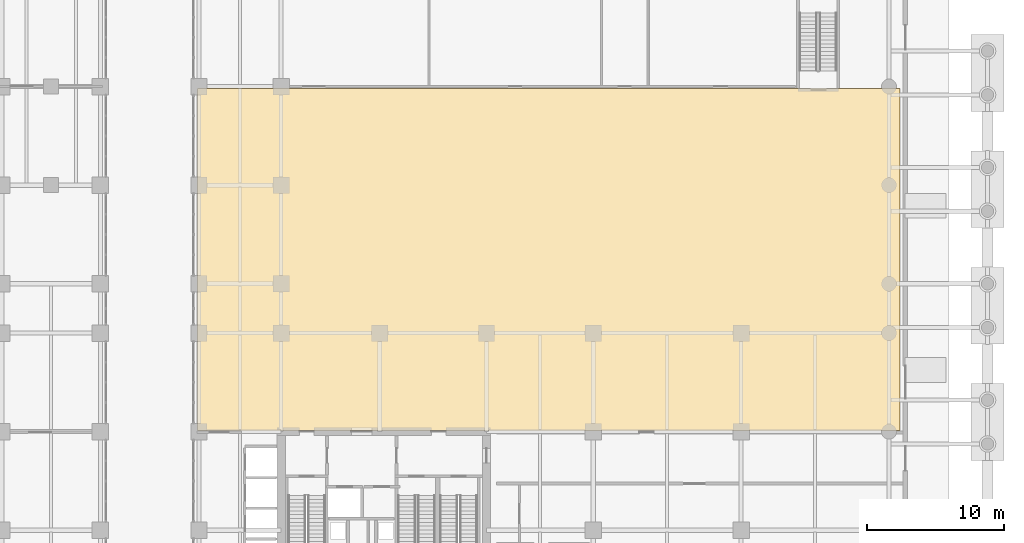
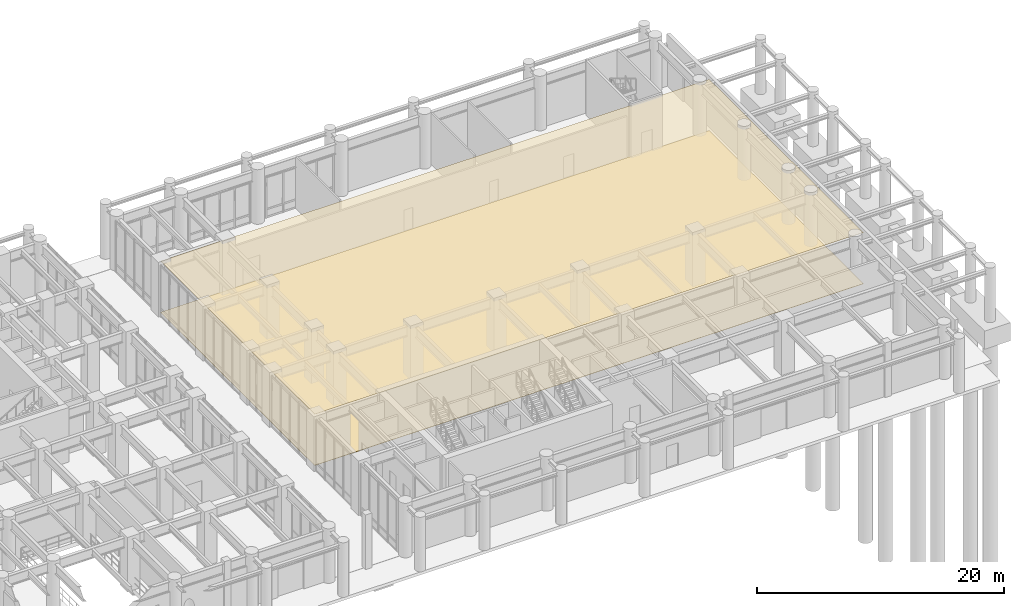
# One storey, part 21 of 23: 2 coverings.
"""IFC4 building model written with IfcOpenShell, lengths in metres."""

from ifc_helpers import new_model, si_unit, derived_unit, direction, frame, origin, place, context, subcontext, project, spatial, polyline, outline, extrude, material, layer, layer_set, type_object, element, save


model = new_model("IFC4")

# Units and contexts
model_context = context("Model", 3, precision=1e-05, world=origin(), true_north=direction((0.0, 1.0)))
body_context = subcontext(model_context, "Body", "Model", "MODEL_VIEW")
ifc_project = project(units=[si_unit("LENGTHUNIT", "METRE"), si_unit("AREAUNIT", "SQUARE_METRE"), si_unit("VOLUMEUNIT", "CUBIC_METRE"), si_unit("PLANEANGLEUNIT", "RADIAN"), si_unit("MASSUNIT", "GRAM", prefix="KILO"), si_unit("THERMODYNAMICTEMPERATUREUNIT", "KELVIN"), si_unit("POWERUNIT", "WATT"), derived_unit("THERMALTRANSMITTANCEUNIT", [(si_unit("POWERUNIT", "WATT"), 1), (si_unit("AREAUNIT", "SQUARE_METRE"), -1), (si_unit("THERMODYNAMICTEMPERATUREUNIT", "KELVIN"), -1)])], contexts=[model_context])

# Site, building, storey
site_placement = place(None, origin())
site = spatial("IfcSite", under=ifc_project, at=site_placement, CompositionType="ELEMENT")
building_placement = place(site_placement, origin())
building = spatial("IfcBuilding", under=site, at=building_placement, Name="Zahravan Archway Hotel and Residences", CompositionType="ELEMENT")
storey_placement = place(building_placement, origin())
storey = spatial("IfcBuildingStorey", under=building, at=storey_placement, Name="L00", CompositionType="ELEMENT", Elevation=0.0)

# Coverings
ifc_material_1 = material(Name="Perforated Acoustic Gypsum Ceiling")
ifc_layer_1 = layer(ifc_material_1, 0.02490234375, Name="Perforated Acoustic Gypsum Ceiling")
ifc_layer_set_1 = layer_set([ifc_layer_1], Name="Perforated Acoustic Gypsum Ceiling")
covering_type_1 = type_object("IfcCoveringType", Name="COV-CEIL-ACST", PredefinedType="CEILING", material=ifc_layer_set_1)
covering_1_placement = place(storey_placement, frame((0.0, 0.0, 5.074951171875)))
element("IfcCovering", 1, at=covering_1_placement, inside=storey, type_object=covering_type_1, Name="L00 Acoustic Corridor Ceiling", PredefinedType="CEILING", context=body_context, shape_type="SweptSolid", body=[
    extrude(outline(polyline([(28.679931640625, 39.469970703125), (80.02001953125, 39.469970703125), (80.02001953125, 14.47998046875), (28.679931640625, 14.47998046875), (28.679931640625, 39.469970703125)])), origin(), (0.0, 0.0, 1.0), 0.025146484375),
])
ifc_material_2 = material(Name="Honed Margalla Limestone & Mortar Bed", Category="masonry")
ifc_layer_2 = layer(ifc_material_2, 0.030029296875, Name="Honed Margalla Limestone & Mortar Bed", Category="masonry")
ifc_layer_set_2 = layer_set([ifc_layer_2], Name="Honed Margalla Limestone & Mortar Bed")
covering_type_2 = type_object("IfcCoveringType", Name="COV-FLR-STONE", PredefinedType="FLOORING", material=ifc_layer_set_2)
covering_2_placement = place(storey_placement, origin())
element("IfcCovering", 2, at=covering_2_placement, inside=storey, type_object=covering_type_2, Name="L00 Circulation Floor Finish", PredefinedType="FLOORING", context=body_context, shape_type="SweptSolid", body=[
    extrude(outline(polyline([(28.679931640625, 39.469970703125), (80.02001953125, 39.469970703125), (80.02001953125, 14.47998046875), (28.679931640625, 14.47998046875), (28.679931640625, 39.469970703125)])), origin(), (0.0, 0.0, 1.0), 0.030029296875),
])

save(model, "model.ifc")
